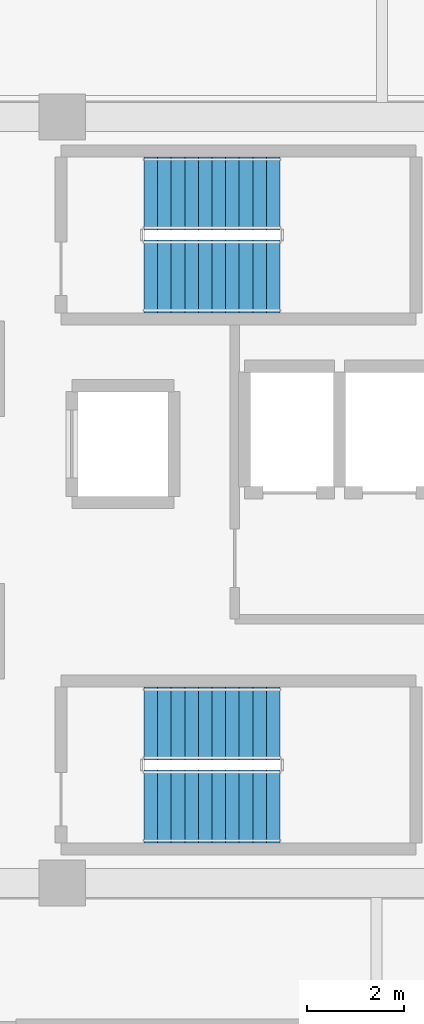
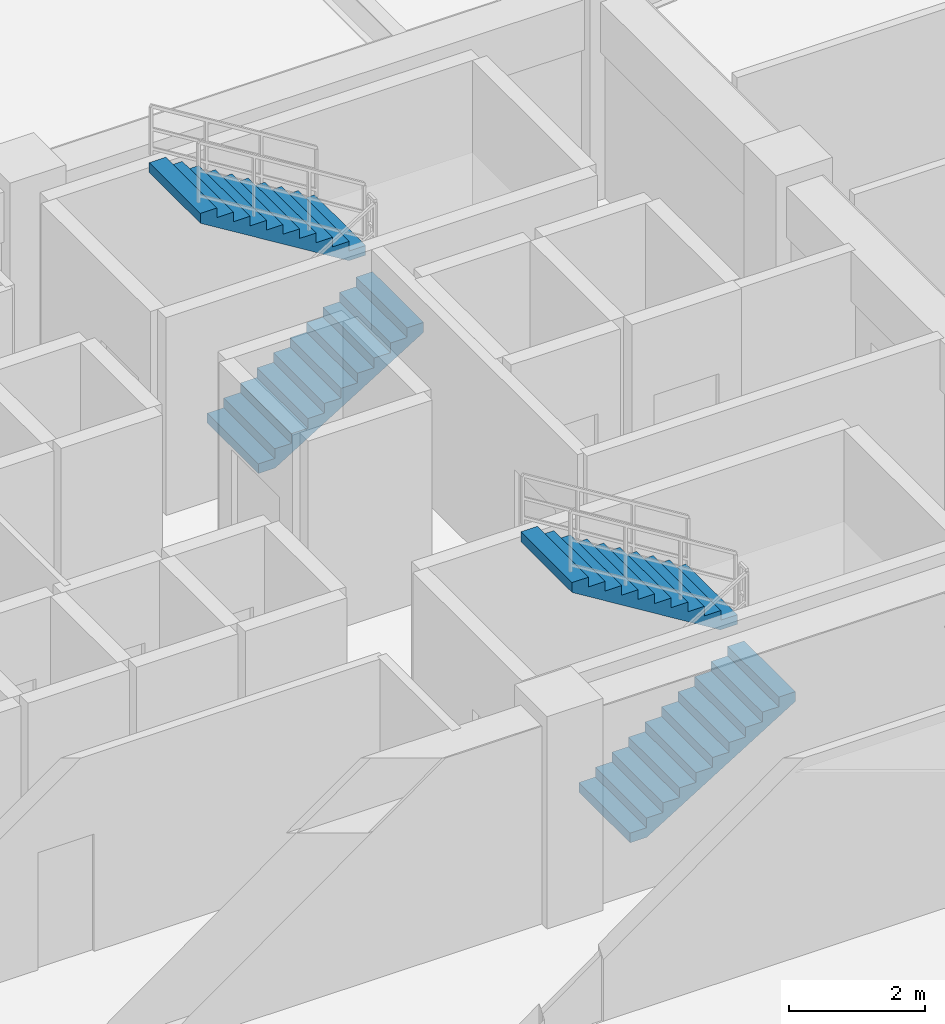
# One storey, part 6 of 8: 4 stair flights, 2 elements without a shape of their own.
"""IFC4 building model written with IfcOpenShell, lengths in metres."""

from ifc_helpers import new_model, si_unit, direction, frame, origin, place, context, subcontext, project, spatial, polyline, outline, extrude, material, type_object, element, aggregate, save


model = new_model("IFC4")

# Units and contexts
model_context = context("Model", 3, precision=1e-05, world=origin(), true_north=direction((0.0, 1.0)))
body_context = subcontext(model_context, "Body", "Model", "MODEL_VIEW")
ifc_project = project(units=[si_unit("LENGTHUNIT", "METRE"), si_unit("AREAUNIT", "SQUARE_METRE"), si_unit("VOLUMEUNIT", "CUBIC_METRE"), si_unit("PLANEANGLEUNIT", "RADIAN"), si_unit("MASSUNIT", "GRAM", prefix="KILO")], contexts=[model_context])

# Site, building, storey
site_placement = place(None, origin())
site = spatial("IfcSite", under=ifc_project, at=site_placement, CompositionType="ELEMENT")
building_placement = place(site_placement, origin())
building = spatial("IfcBuilding", under=site, at=building_placement, Name="Zulverin Broadcast Headquarters", CompositionType="ELEMENT")
storey_placement = place(building_placement, frame((0.0, 0.0, 174.39990234375)))
storey = spatial("IfcBuildingStorey", under=building, at=storey_placement, Name="L44", CompositionType="ELEMENT", Elevation=174.39990234375)

# Stair, stair flights
ifc_material = material(Name="Concrete C40/50", Category="concrete")
stair_type = type_object("IfcStairType", Name="ST-CORE-1500", PredefinedType="HALF_TURN_STAIR", material=ifc_material)
stair_1_placement = place(storey_placement, origin())
stair_1 = element("IfcStair", 1, at=stair_1_placement, inside=storey, type_object=stair_type, Name="L44 Core Exit Stair ST-1", PredefinedType="HALF_TURN_STAIR")
stair_flight_type = type_object("IfcStairFlightType", Name="SF-CORE-1500", PredefinedType="STRAIGHT", material=ifc_material)
stair_flight_1_placement = place(storey_placement, frame((40.1298828125, 29.800048828125, 0.0), z_axis=(0.0, 0.0, 1.0), x_axis=(1.0, 0.0, 0.0)))
stair_flight_1 = element("IfcStairFlight", 2, at=stair_flight_1_placement, type_object=stair_flight_type, Name="ST-1 flight 1", NumberOfRisers=11, NumberOfTreads=10, PredefinedType="STRAIGHT", RiserHeight=0.172727273, TreadLength=0.28, context=body_context, shape_type="SweptSolid", body=[
    extrude(outline(polyline([(0.0, 0.0), (0.0, 0.172607421875), (0.280029296875, 0.172607421875), (0.280029296875, 0.345458984375), (0.56005859375, 0.345458984375), (0.56005859375, 0.51806640625), (0.840087890625, 0.51806640625), (0.840087890625, 0.69091796875), (1.1201171875, 0.69091796875), (1.1201171875, 0.863525390625), (1.39990234375, 0.863525390625), (1.39990234375, 1.036376953125), (1.679931640625, 1.036376953125), (1.679931640625, 1.208984375), (1.9599609375, 1.208984375), (1.9599609375, 1.3818359375), (2.239990234375, 1.3818359375), (2.239990234375, 1.554443359375), (2.52001953125, 1.554443359375), (2.52001953125, 1.727294921875), (2.800048828125, 1.727294921875), (2.800048828125, 1.89990234375), (2.800048828125, 1.551025390625), (0.285400390625, 0.0), (0.0, 0.0)])), frame((0.0, 0.75, 0.0), z_axis=(0.0, -1.0, 0.0), x_axis=(1.0, 0.0, 0.0)), (0.0, 0.0, 1.0), 1.5),
])
stair_flight_2_placement = place(storey_placement, frame((42.929931640625, 31.5, 1.900146484375), z_axis=(0.0, 0.0, 1.0), x_axis=(-1.0, 0.0, 0.0)))
stair_flight_2 = element("IfcStairFlight", 3, at=stair_flight_2_placement, type_object=stair_flight_type, Name="ST-1 flight 2", NumberOfRisers=11, NumberOfTreads=10, PredefinedType="STRAIGHT", RiserHeight=0.172727273, TreadLength=0.28, context=body_context, shape_type="SweptSolid", body=[
    extrude(outline(polyline([(0.0, 0.0), (0.0, 0.172607421875), (0.280029296875, 0.172607421875), (0.280029296875, 0.345458984375), (0.56005859375, 0.345458984375), (0.56005859375, 0.51806640625), (0.840087890625, 0.51806640625), (0.840087890625, 0.69091796875), (1.1201171875, 0.69091796875), (1.1201171875, 0.863525390625), (1.39990234375, 0.863525390625), (1.39990234375, 1.036376953125), (1.679931640625, 1.036376953125), (1.679931640625, 1.208984375), (1.9599609375, 1.208984375), (1.9599609375, 1.3818359375), (2.239990234375, 1.3818359375), (2.239990234375, 1.554443359375), (2.52001953125, 1.554443359375), (2.52001953125, 1.727294921875), (2.800048828125, 1.727294921875), (2.800048828125, 1.89990234375), (2.800048828125, 1.551025390625), (0.285400390625, 0.0), (0.0, 0.0)])), frame((0.0, 0.75, 0.0), z_axis=(0.0, -1.0, 0.0), x_axis=(1.0, 0.0, 0.0)), (0.0, 0.0, 1.0), 1.5),
])
aggregate(stair_1, [stair_flight_1, stair_flight_2])

stair_2_placement = place(storey_placement, origin())
stair_2 = element("IfcStair", 4, at=stair_2_placement, inside=storey, type_object=stair_type, Name="L44 Core Exit Stair ST-2", PredefinedType="HALF_TURN_STAIR")
stair_flight_3_placement = place(storey_placement, frame((40.1298828125, 18.89990234375, 0.0), z_axis=(0.0, 0.0, 1.0), x_axis=(1.0, 0.0, 0.0)))
stair_flight_3 = element("IfcStairFlight", 5, at=stair_flight_3_placement, type_object=stair_flight_type, Name="ST-2 flight 1", NumberOfRisers=11, NumberOfTreads=10, PredefinedType="STRAIGHT", RiserHeight=0.172727273, TreadLength=0.28, context=body_context, shape_type="SweptSolid", body=[
    extrude(outline(polyline([(0.0, 0.0), (0.0, 0.172607421875), (0.280029296875, 0.172607421875), (0.280029296875, 0.345458984375), (0.56005859375, 0.345458984375), (0.56005859375, 0.51806640625), (0.840087890625, 0.51806640625), (0.840087890625, 0.69091796875), (1.1201171875, 0.69091796875), (1.1201171875, 0.863525390625), (1.39990234375, 0.863525390625), (1.39990234375, 1.036376953125), (1.679931640625, 1.036376953125), (1.679931640625, 1.208984375), (1.9599609375, 1.208984375), (1.9599609375, 1.3818359375), (2.239990234375, 1.3818359375), (2.239990234375, 1.554443359375), (2.52001953125, 1.554443359375), (2.52001953125, 1.727294921875), (2.800048828125, 1.727294921875), (2.800048828125, 1.89990234375), (2.800048828125, 1.551025390625), (0.285400390625, 0.0), (0.0, 0.0)])), frame((0.0, 0.75, 0.0), z_axis=(0.0, -1.0, 0.0), x_axis=(1.0, 0.0, 0.0)), (0.0, 0.0, 1.0), 1.5),
])
stair_flight_4_placement = place(storey_placement, frame((42.929931640625, 20.60009765625, 1.900146484375), z_axis=(0.0, 0.0, 1.0), x_axis=(-1.0, 0.0, 0.0)))
stair_flight_4 = element("IfcStairFlight", 6, at=stair_flight_4_placement, type_object=stair_flight_type, Name="ST-2 flight 2", NumberOfRisers=11, NumberOfTreads=10, PredefinedType="STRAIGHT", RiserHeight=0.172727273, TreadLength=0.28, context=body_context, shape_type="SweptSolid", body=[
    extrude(outline(polyline([(0.0, 0.0), (0.0, 0.172607421875), (0.280029296875, 0.172607421875), (0.280029296875, 0.345458984375), (0.56005859375, 0.345458984375), (0.56005859375, 0.51806640625), (0.840087890625, 0.51806640625), (0.840087890625, 0.69091796875), (1.1201171875, 0.69091796875), (1.1201171875, 0.863525390625), (1.39990234375, 0.863525390625), (1.39990234375, 1.036376953125), (1.679931640625, 1.036376953125), (1.679931640625, 1.208984375), (1.9599609375, 1.208984375), (1.9599609375, 1.3818359375), (2.239990234375, 1.3818359375), (2.239990234375, 1.554443359375), (2.52001953125, 1.554443359375), (2.52001953125, 1.727294921875), (2.800048828125, 1.727294921875), (2.800048828125, 1.89990234375), (2.800048828125, 1.551025390625), (0.285400390625, 0.0), (0.0, 0.0)])), frame((0.0, 0.75, 0.0), z_axis=(0.0, -1.0, 0.0), x_axis=(1.0, 0.0, 0.0)), (0.0, 0.0, 1.0), 1.5),
])
aggregate(stair_2, [stair_flight_3, stair_flight_4])

save(model, "model.ifc")
